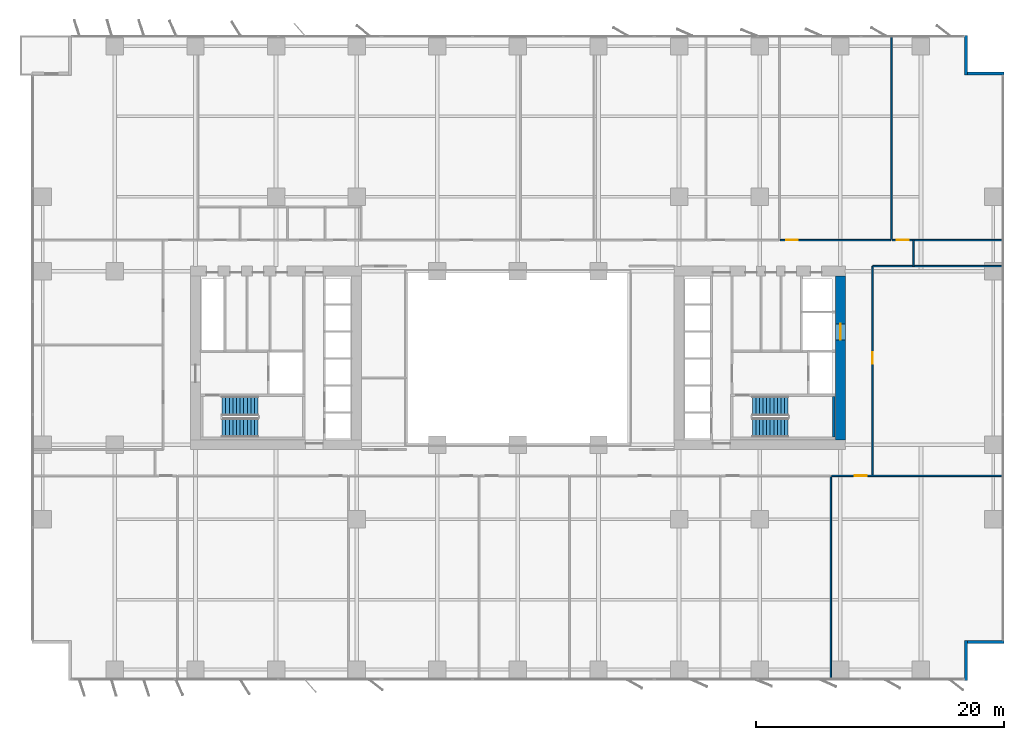
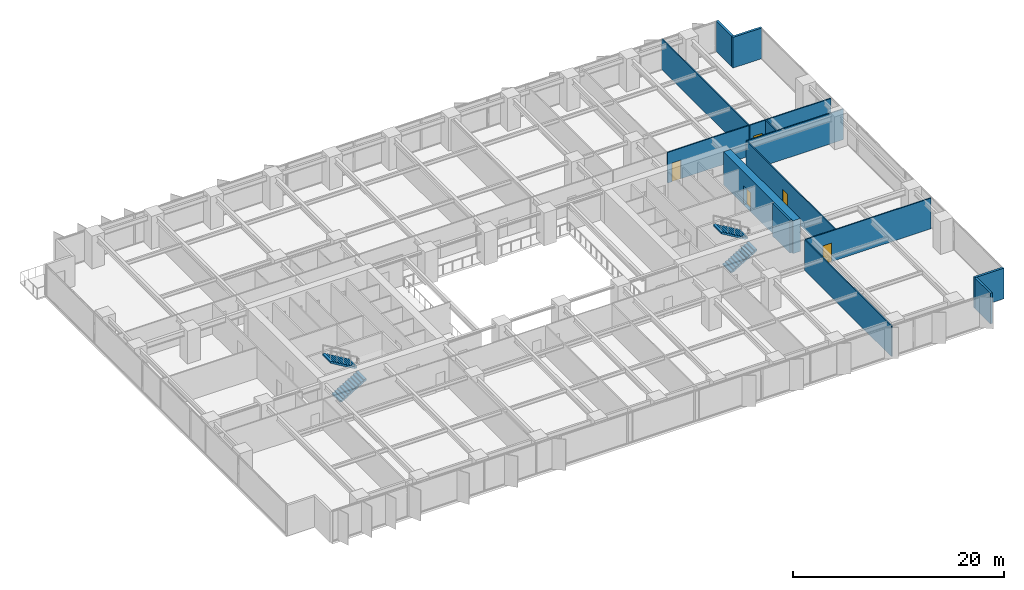
# One storey, part 16 of 20: 14 walls, 5 doors, 4 stair flights, 5 openings, 2 elements without a shape of their own.
"""IFC4 building model written with IfcOpenShell, lengths in metres."""

from ifc_helpers import new_model, si_unit, direction, frame, frame_2d, origin, place, context, subcontext, project, spatial, polyline, rectangle, outline, extrude, material, layer, layer_set, type_object, element, fill, aggregate, save


model = new_model("IFC4")

# Units and contexts
model_context = context("Model", 3, precision=1e-05, world=origin(), true_north=direction((0.0, 1.0)))
body_context = subcontext(model_context, "Body", "Model", "MODEL_VIEW")
ifc_project = project(units=[si_unit("LENGTHUNIT", "METRE"), si_unit("AREAUNIT", "SQUARE_METRE"), si_unit("VOLUMEUNIT", "CUBIC_METRE"), si_unit("PLANEANGLEUNIT", "RADIAN"), si_unit("MASSUNIT", "GRAM", prefix="KILO")], contexts=[model_context])

# Site, building, storey
site_placement = place(None, origin())
site = spatial("IfcSite", under=ifc_project, at=site_placement, CompositionType="ELEMENT")
building_placement = place(site_placement, origin())
building = spatial("IfcBuilding", under=site, at=building_placement, Name="Putna Gate Headquarters", CompositionType="ELEMENT")
storey_placement = place(building_placement, frame((0.0, 0.0, 73.39990234375)))
storey = spatial("IfcBuildingStorey", under=building, at=storey_placement, Name="L17", CompositionType="ELEMENT", Elevation=73.39990234375)

# Wall, opening, door
ifc_material_1 = material(Name="Concrete C60/75", Category="concrete")
ifc_layer_1 = layer(ifc_material_1, 0.800048828125)
ifc_layer_set_1 = layer_set([ifc_layer_1], Name="Concrete C60/75")
wall_type_1 = type_object("IfcWallType", Name="WALL-CORE-800", PredefinedType="SHEAR", material=ifc_layer_set_1)
wall_1_placement = place(storey_placement, frame((65.0, 19.39990234375, 0.0), z_axis=(0.0, 0.0, 1.0), x_axis=(0.0, 1.0, 0.0)))
wall_1 = element("IfcWall", 1, at=wall_1_placement, inside=storey, type_object=wall_type_1, Name="L17 EC Split Core Shear Wall E", PredefinedType="SHEAR", context=body_context, shape_type="SweptSolid", body=[
    extrude(rectangle(XDim=13.2001953125, YDim=0.800048828125, at=frame_2d((6.60009765625, 0.0))), origin(), (0.0, 0.0, 1.0), 3.800048828125),
])
opening_1_placement = place(wall_1_placement, frame((8.050048828125, 0.0, 0.0)))
opening_1 = element("IfcOpeningElement", 2, at=opening_1_placement, cuts=wall_1, Name="Opening LD-2", PredefinedType="OPENING", context=body_context, shape_type="SweptSolid", body=[
    extrude(rectangle(XDim=1.300048828125, YDim=2.199951171875, at=frame_2d((0.64990234375, 1.10009765625))), frame((0.0, 0.409912109375, 0.0), z_axis=(0.0, -1.0, 0.0), x_axis=(1.0, 0.0, 0.0)), (0.0, 0.0, 1.0), 0.820068359375),
])
ifc_material_2 = material(Name="Heavy-duty goods lift sliding landing door")
door_type_1 = type_object("IfcDoorType", Name="DOOR-LIFT-1300", OperationType="DOUBLE_DOOR_SLIDING", PredefinedType="DOOR", material=ifc_material_2)
door_1_placement = place(opening_1_placement, origin())
door_1 = element("IfcDoor", 3, at=door_1_placement, inside=storey, type_object=door_type_1, Name="L17 Goods Lift Landing Door LD-15", OperationType="DOUBLE_DOOR_SLIDING", OverallHeight=2.199951171875, OverallWidth=1.300048828125, PredefinedType="DOOR", context=body_context, shape_type="SweptSolid", body=[
    extrude(rectangle(XDim=1.300048828125, YDim=2.199951171875, at=frame_2d((0.64990234375, 1.10009765625))), frame((0.0, 0.02490234375, 0.0), z_axis=(0.0, -1.0, 0.0), x_axis=(1.0, 0.0, 0.0)), (0.0, 0.0, 1.0), 0.050048828125),
])
fill(opening_1, door_1)

# Walls
ifc_material_3 = material(Name="Precast concrete C40/50", Category="concrete")
ifc_layer_2 = layer(ifc_material_3, 0.239990234375)
ifc_layer_set_2 = layer_set([ifc_layer_2], Name="Precast concrete C40/50")
wall_type_2 = type_object("IfcWallType", Name="WALL-EXT-TERR-240", PredefinedType="STANDARD", material=ifc_layer_set_2)
for number, where, z_axis, x_axis, name in (
    (4, (75.1201171875, 52.0, 0.0), (0.0, 0.0, 1.0), (0.0, -1.0, 0.0), "L17 Corner Notch Return Wall NE-V"),
    (5, (75.0, 48.919921875, 0.0), (0.0, 0.0, 1.0), (1.0, 0.0, 0.0), "L17 Corner Notch Return Wall NE-H"),
    (6, (75.1201171875, 3.199951171875, 0.0), (0.0, 0.0, 1.0), (0.0, -1.0, 0.0), "L17 Corner Notch Return Wall SE-V"),
    (7, (78.199951171875, 3.080078125, 0.0), (0.0, 0.0, 1.0), (-1.0, 0.0, 0.0), "L17 Corner Notch Return Wall SE-H"),
):
    element("IfcWall", number, at=place(storey_placement, frame(where, z_axis=z_axis, x_axis=x_axis)), inside=storey, type_object=wall_type_2, Name=name, PredefinedType="STANDARD", context=body_context, shape_type="SweptSolid", body=[
        extrude(rectangle(XDim=3.199951171875, YDim=0.239990234375, at=frame_2d((1.60009765625, 0.0))), origin(), (0.0, 0.0, 1.0), 3.550048828125),
    ])
ifc_material_4 = material(Name="Acoustic gypsum board on metal stud")
ifc_layer_3 = layer(ifc_material_4, 0.1201171875)
ifc_layer_set_3 = layer_set([ifc_layer_3], Name="Acoustic gypsum board on metal stud")
wall_type_3 = type_object("IfcWallType", Name="WALL-PART-120", PredefinedType="PARTITIONING", material=ifc_layer_set_3)
for number, where, z_axis, x_axis, name in (
    (8, (69.1123046875, 35.56005859375, 0.0), (0.0, 0.0, 1.0), (0.0, 1.0, 0.0), "L17 Interior Wall PART-L17-NB-DIV-06"),
    (9, (64.230224609375, 0.02001953125, 0.0), (0.0, 0.0, 1.0), (0.0, 1.0, 0.0), "L17 Interior Wall PART-L17-SB-DIV-06"),
):
    element("IfcWall", number, at=place(storey_placement, frame(where, z_axis=z_axis, x_axis=x_axis)), inside=storey, type_object=wall_type_3, Name=name, PredefinedType="PARTITIONING", context=body_context, shape_type="SweptSolid", body=[
        extrude(rectangle(XDim=16.419921875, YDim=0.1201171875, at=frame_2d((8.2099609375, 0.0))), origin(), (0.0, 0.0, 1.0), 3.550048828125),
    ])
ifc_material_5 = material(Name="Fire-rated gypsum board on metal stud")
ifc_layer_4 = layer(ifc_material_5, 0.1201171875)
ifc_layer_set_4 = layer_set([ifc_layer_4], Name="Fire-rated gypsum board on metal stud")
wall_type_4 = type_object("IfcWallType", Name="WALL-PART-120-RATED", PredefinedType="PARTITIONING", material=ifc_layer_set_4)
wall_2_placement = place(storey_placement, frame((70.912353515625, 33.39990234375, 0.0), z_axis=(0.0, 0.0, 1.0), x_axis=(0.0, 1.0, 0.0)))
element("IfcWall", 10, at=wall_2_placement, inside=storey, type_object=wall_type_4, Name="L17 Interior Wall PART-L17-CORRN-CAPE", PredefinedType="PARTITIONING", context=body_context, shape_type="SweptSolid", body=[
    extrude(rectangle(XDim=2.10009765625, YDim=0.1201171875, at=frame_2d((1.050048828125, 0.0))), origin(), (0.0, 0.0, 1.0), 3.550048828125),
])

# Wall, opening, door
wall_3_placement = place(storey_placement, frame((60.154541015625, 35.5, 0.0), z_axis=(0.0, 0.0, 1.0), x_axis=(1.0, 0.0, 0.0)))
wall_3 = element("IfcWall", 11, at=wall_3_placement, inside=storey, type_object=wall_type_4, Name="L17 Interior Wall PART-L17-NB-CW-06", PredefinedType="PARTITIONING", context=body_context, shape_type="SweptSolid", body=[
    extrude(rectangle(XDim=8.897705078125, YDim=0.1201171875, at=frame_2d((4.44873046875, 0.0))), origin(), (0.0, 0.0, 1.0), 3.550048828125),
])
opening_2_placement = place(wall_3_placement, frame((0.47998046875, 0.0, 0.0)))
opening_2 = element("IfcOpeningElement", 12, at=opening_2_placement, cuts=wall_3, Name="Opening FD-95", PredefinedType="OPENING", context=body_context, shape_type="SweptSolid", body=[
    extrude(rectangle(XDim=0.949951171875, YDim=2.14990234375, at=frame_2d((0.47509765625, 1.074951171875))), frame((0.0, 0.070068359375, 0.0), z_axis=(0.0, -1.0, 0.0), x_axis=(1.0, 0.0, 0.0)), (0.0, 0.0, 1.0), 0.14013671875),
])
ifc_material_6 = material(Name="Acoustic timber fire door", Category="wood")
door_type_2 = type_object("IfcDoorType", Name="DOOR-FIRE-950", OperationType="NOTDEFINED", PredefinedType="DOOR", material=ifc_material_6)
door_2_placement = place(opening_2_placement, origin())
door_2 = element("IfcDoor", 13, at=door_2_placement, inside=storey, type_object=door_type_2, Name="L17 Conference Meeting Room 5 Door", OperationType="SINGLE_SWING_LEFT", OverallHeight=2.14990234375, OverallWidth=0.949951171875, PredefinedType="DOOR", context=body_context, shape_type="SweptSolid", body=[
    extrude(rectangle(XDim=0.949951171875, YDim=2.14990234375, at=frame_2d((0.47509765625, 1.074951171875))), frame((0.0, 0.02490234375, 0.0), z_axis=(0.0, -1.0, 0.0), x_axis=(1.0, 0.0, 0.0)), (0.0, 0.0, 1.0), 0.050048828125),
])
fill(opening_2, door_2)

wall_4_placement = place(storey_placement, frame((69.17236328125, 35.5, 0.0), z_axis=(0.0, 0.0, 1.0), x_axis=(1.0, 0.0, 0.0)))
wall_4 = element("IfcWall", 14, at=wall_4_placement, inside=storey, type_object=wall_type_4, Name="L17 Interior Wall PART-L17-NB-CW-07", PredefinedType="PARTITIONING", context=body_context, shape_type="SweptSolid", body=[
    extrude(rectangle(XDim=8.84765625, YDim=0.1201171875, at=frame_2d((4.423828125, 0.0))), origin(), (0.0, 0.0, 1.0), 3.550048828125),
])
opening_3_placement = place(wall_4_placement, frame((0.39501953125, 0.0, 0.0)))
opening_3 = element("IfcOpeningElement", 15, at=opening_3_placement, cuts=wall_4, Name="Opening FD-95", PredefinedType="OPENING", context=body_context, shape_type="SweptSolid", body=[
    extrude(rectangle(XDim=0.949951171875, YDim=2.14990234375, at=frame_2d((0.47509765625, 1.074951171875))), frame((0.0, 0.070068359375, 0.0), z_axis=(0.0, -1.0, 0.0), x_axis=(1.0, 0.0, 0.0)), (0.0, 0.0, 1.0), 0.14013671875),
])
door_3_placement = place(opening_3_placement, origin())
door_3 = element("IfcDoor", 16, at=door_3_placement, inside=storey, type_object=door_type_2, Name="L17 Cellular Office 1 Door", OperationType="SINGLE_SWING_RIGHT", OverallHeight=2.14990234375, OverallWidth=0.949951171875, PredefinedType="DOOR", context=body_context, shape_type="SweptSolid", body=[
    extrude(rectangle(XDim=0.949951171875, YDim=2.14990234375, at=frame_2d((0.47509765625, 1.074951171875))), frame((0.0, 0.02490234375, 0.0), z_axis=(0.0, -1.0, 0.0), x_axis=(1.0, 0.0, 0.0)), (0.0, 0.0, 1.0), 0.050048828125),
])
fill(opening_3, door_3)

wall_5_placement = place(storey_placement, frame((64.290283203125, 16.5, 0.0), z_axis=(0.0, 0.0, 1.0), x_axis=(1.0, 0.0, 0.0)))
wall_5 = element("IfcWall", 17, at=wall_5_placement, inside=storey, type_object=wall_type_4, Name="L17 Interior Wall PART-L17-SB-CW-07", PredefinedType="PARTITIONING", context=body_context, shape_type="SweptSolid", body=[
    extrude(rectangle(XDim=13.729736328125, YDim=0.1201171875, at=frame_2d((6.86474609375, 0.0))), origin(), (0.0, 0.0, 1.0), 3.550048828125),
])
opening_4_placement = place(wall_5_placement, frame((1.879638671875, 0.0, 0.0)))
opening_4 = element("IfcOpeningElement", 18, at=opening_4_placement, cuts=wall_5, Name="Opening FD-95", PredefinedType="OPENING", context=body_context, shape_type="SweptSolid", body=[
    extrude(rectangle(XDim=0.949951171875, YDim=2.14990234375, at=frame_2d((0.47509765625, 1.074951171875))), frame((0.0, 0.070068359375, 0.0), z_axis=(0.0, -1.0, 0.0), x_axis=(1.0, 0.0, 0.0)), (0.0, 0.0, 1.0), 0.14013671875),
])
door_4_placement = place(opening_4_placement, origin())
door_4 = element("IfcDoor", 19, at=door_4_placement, inside=storey, type_object=door_type_2, Name="L17 Conference Meeting Room 1 Door", OperationType="SINGLE_SWING_LEFT", OverallHeight=2.14990234375, OverallWidth=0.949951171875, PredefinedType="DOOR", context=body_context, shape_type="SweptSolid", body=[
    extrude(rectangle(XDim=0.949951171875, YDim=2.14990234375, at=frame_2d((0.47509765625, 1.074951171875))), frame((0.0, 0.02490234375, 0.0), z_axis=(0.0, -1.0, 0.0), x_axis=(1.0, 0.0, 0.0)), (0.0, 0.0, 1.0), 0.050048828125),
])
fill(opening_4, door_4)

# Wall
wall_6_placement = place(storey_placement, frame((67.60009765625, 33.39990234375, 0.0), z_axis=(0.0, 0.0, 1.0), x_axis=(1.0, 0.0, 0.0)))
element("IfcWall", 20, at=wall_6_placement, inside=storey, type_object=wall_type_4, Name="L17 Interior Wall PART-L17-EW-N-BOUND", PredefinedType="PARTITIONING", context=body_context, shape_type="SweptSolid", body=[
    extrude(rectangle(XDim=10.579833984375, YDim=0.1201171875, at=frame_2d((5.2900390625, 0.0))), origin(), (0.0, 0.0, 1.0), 3.550048828125),
])

# Wall, opening, door
wall_7_placement = place(storey_placement, frame((67.60009765625, 16.5, 0.0), z_axis=(0.0, 0.0, 1.0), x_axis=(0.0, 1.0, 0.0)))
wall_7 = element("IfcWall", 21, at=wall_7_placement, inside=storey, type_object=wall_type_4, Name="L17 Interior Wall PART-L17-EW-CW-1", PredefinedType="PARTITIONING", context=body_context, shape_type="SweptSolid", body=[
    extrude(rectangle(XDim=16.89990234375, YDim=0.1201171875, at=frame_2d((8.449951171875, 0.0))), origin(), (0.0, 0.0, 1.0), 3.550048828125),
])
opening_5_placement = place(wall_7_placement, frame((9.02490234375, 0.0, 0.0)))
opening_5 = element("IfcOpeningElement", 22, at=opening_5_placement, cuts=wall_7, Name="Opening FD-95", PredefinedType="OPENING", context=body_context, shape_type="SweptSolid", body=[
    extrude(rectangle(XDim=0.949951171875, YDim=2.14990234375, at=frame_2d((0.47509765625, 1.074951171875))), frame((0.0, 0.070068359375, 0.0), z_axis=(0.0, -1.0, 0.0), x_axis=(1.0, 0.0, 0.0)), (0.0, 0.0, 1.0), 0.14013671875),
])
door_5_placement = place(opening_5_placement, origin())
door_5 = element("IfcDoor", 23, at=door_5_placement, inside=storey, type_object=door_type_2, Name="L17 East Horizon Conference Room 1 Door", OperationType="SINGLE_SWING_RIGHT", OverallHeight=2.14990234375, OverallWidth=0.949951171875, PredefinedType="DOOR", context=body_context, shape_type="SweptSolid", body=[
    extrude(rectangle(XDim=0.949951171875, YDim=2.14990234375, at=frame_2d((0.47509765625, 1.074951171875))), frame((0.0, 0.02490234375, 0.0), z_axis=(0.0, -1.0, 0.0), x_axis=(1.0, 0.0, 0.0)), (0.0, 0.0, 1.0), 0.050048828125),
])
fill(opening_5, door_5)

# Wall
ifc_material_7 = material(Name="Concrete C40/50", Category="concrete")
ifc_layer_5 = layer(ifc_material_7, 0.199951171875)
ifc_layer_set_5 = layer_set([ifc_layer_5], Name="Concrete C40/50")
wall_type_5 = type_object("IfcWallType", Name="WALL-SHAFT-RC200", PredefinedType="SHEAR", material=ifc_layer_set_5)
wall_8_placement = place(storey_placement, frame((64.489990234375, 19.610107421875, 0.0), z_axis=(0.0, 0.0, 1.0), x_axis=(0.0, 1.0, 0.0)))
element("IfcWall", 24, at=wall_8_placement, inside=storey, type_object=wall_type_5, Name="L17 Stair ST2 Structural Shaft Wall E", PredefinedType="SHEAR", context=body_context, shape_type="SweptSolid", body=[
    extrude(rectangle(XDim=3.27978515625, YDim=0.199951171875, at=frame_2d((1.639892578125, 0.0))), origin(), (0.0, 0.0, 1.0), 3.800048828125),
])

# Stair, stair flights
stair_type_1 = type_object("IfcStairType", Name="STAIR-ST1", PredefinedType="HALF_TURN_STAIR", material=ifc_material_7)
stair_1_placement = place(storey_placement, origin())
stair_1 = element("IfcStair", 25, at=stair_1_placement, inside=storey, type_object=stair_type_1, Name="L17 West Core Exit Stair ST1", PredefinedType="HALF_TURN_STAIR")
stair_flight_type_1 = type_object("IfcStairFlightType", Name="FLIGHT-ST1", PredefinedType="STRAIGHT", material=ifc_material_7)
stair_flight_1_placement = place(storey_placement, frame((15.14990234375, 20.375, 0.0), z_axis=(0.0, 0.0, 1.0), x_axis=(1.0, 0.0, 0.0)))
stair_flight_1 = element("IfcStairFlight", 26, at=stair_flight_1_placement, type_object=stair_flight_type_1, Name="ST1 flight 1", NumberOfRisers=11, NumberOfTreads=10, PredefinedType="STRAIGHT", RiserHeight=0.172727273, TreadLength=0.29, context=body_context, shape_type="SweptSolid", body=[
    extrude(outline(polyline([(0.0, 0.0), (0.0, 0.172607421875), (0.2900390625, 0.172607421875), (0.2900390625, 0.345458984375), (0.580078125, 0.345458984375), (0.580078125, 0.51806640625), (0.8701171875, 0.51806640625), (0.8701171875, 0.69091796875), (1.159912109375, 0.69091796875), (1.159912109375, 0.863525390625), (1.449951171875, 0.863525390625), (1.449951171875, 1.036376953125), (1.739990234375, 1.036376953125), (1.739990234375, 1.208984375), (2.030029296875, 1.208984375), (2.030029296875, 1.3818359375), (2.320068359375, 1.3818359375), (2.320068359375, 1.554443359375), (2.610107421875, 1.554443359375), (2.610107421875, 1.727294921875), (2.89990234375, 1.727294921875), (2.89990234375, 1.89990234375), (2.89990234375, 1.552734375), (0.29296875, 0.0), (0.0, 0.0)])), frame((0.0, 0.77490234375, 0.0), z_axis=(0.0, -1.0, 0.0), x_axis=(1.0, 0.0, 0.0)), (0.0, 0.0, 1.0), 1.550048828125),
])
stair_flight_2_placement = place(storey_placement, frame((18.050048828125, 22.125, 1.900146484375), z_axis=(0.0, 0.0, 1.0), x_axis=(-1.0, 0.0, 0.0)))
stair_flight_2 = element("IfcStairFlight", 27, at=stair_flight_2_placement, type_object=stair_flight_type_1, Name="ST1 flight 2", NumberOfRisers=11, NumberOfTreads=10, PredefinedType="STRAIGHT", RiserHeight=0.172727273, TreadLength=0.29, context=body_context, shape_type="SweptSolid", body=[
    extrude(outline(polyline([(0.0, 0.0), (0.0, 0.172607421875), (0.2900390625, 0.172607421875), (0.2900390625, 0.345458984375), (0.580078125, 0.345458984375), (0.580078125, 0.51806640625), (0.8701171875, 0.51806640625), (0.8701171875, 0.69091796875), (1.159912109375, 0.69091796875), (1.159912109375, 0.863525390625), (1.449951171875, 0.863525390625), (1.449951171875, 1.036376953125), (1.739990234375, 1.036376953125), (1.739990234375, 1.208984375), (2.030029296875, 1.208984375), (2.030029296875, 1.3818359375), (2.320068359375, 1.3818359375), (2.320068359375, 1.554443359375), (2.610107421875, 1.554443359375), (2.610107421875, 1.727294921875), (2.89990234375, 1.727294921875), (2.89990234375, 1.89990234375), (2.89990234375, 1.552734375), (0.29296875, 0.0), (0.0, 0.0)])), frame((0.0, 0.77490234375, 0.0), z_axis=(0.0, -1.0, 0.0), x_axis=(1.0, 0.0, 0.0)), (0.0, 0.0, 1.0), 1.550048828125),
])
aggregate(stair_1, [stair_flight_1, stair_flight_2])

stair_type_2 = type_object("IfcStairType", Name="STAIR-ST2", PredefinedType="HALF_TURN_STAIR", material=ifc_material_7)
stair_2_placement = place(storey_placement, origin())
stair_2 = element("IfcStair", 28, at=stair_2_placement, inside=storey, type_object=stair_type_2, Name="L17 East Core Exit Stair ST2", PredefinedType="HALF_TURN_STAIR")
stair_flight_type_2 = type_object("IfcStairFlightType", Name="FLIGHT-ST2", PredefinedType="STRAIGHT", material=ifc_material_7)
stair_flight_3_placement = place(storey_placement, frame((57.89990234375, 20.375, 0.0), z_axis=(0.0, 0.0, 1.0), x_axis=(1.0, 0.0, 0.0)))
stair_flight_3 = element("IfcStairFlight", 29, at=stair_flight_3_placement, type_object=stair_flight_type_2, Name="ST2 flight 1", NumberOfRisers=11, NumberOfTreads=10, PredefinedType="STRAIGHT", RiserHeight=0.172727273, TreadLength=0.29, context=body_context, shape_type="SweptSolid", body=[
    extrude(outline(polyline([(0.0, 0.0), (0.0, 0.172607421875), (0.2900390625, 0.172607421875), (0.2900390625, 0.345458984375), (0.580078125, 0.345458984375), (0.580078125, 0.51806640625), (0.8701171875, 0.51806640625), (0.8701171875, 0.69091796875), (1.159912109375, 0.69091796875), (1.159912109375, 0.863525390625), (1.449951171875, 0.863525390625), (1.449951171875, 1.036376953125), (1.739990234375, 1.036376953125), (1.739990234375, 1.208984375), (2.030029296875, 1.208984375), (2.030029296875, 1.3818359375), (2.320068359375, 1.3818359375), (2.320068359375, 1.554443359375), (2.610107421875, 1.554443359375), (2.610107421875, 1.727294921875), (2.89990234375, 1.727294921875), (2.89990234375, 1.89990234375), (2.89990234375, 1.552734375), (0.29296875, 0.0), (0.0, 0.0)])), frame((0.0, 0.77490234375, 0.0), z_axis=(0.0, -1.0, 0.0), x_axis=(1.0, 0.0, 0.0)), (0.0, 0.0, 1.0), 1.550048828125),
])
stair_flight_4_placement = place(storey_placement, frame((60.800048828125, 22.125, 1.900146484375), z_axis=(0.0, 0.0, 1.0), x_axis=(-1.0, 0.0, 0.0)))
stair_flight_4 = element("IfcStairFlight", 30, at=stair_flight_4_placement, type_object=stair_flight_type_2, Name="ST2 flight 2", NumberOfRisers=11, NumberOfTreads=10, PredefinedType="STRAIGHT", RiserHeight=0.172727273, TreadLength=0.29, context=body_context, shape_type="SweptSolid", body=[
    extrude(outline(polyline([(0.0, 0.0), (0.0, 0.172607421875), (0.2900390625, 0.172607421875), (0.2900390625, 0.345458984375), (0.580078125, 0.345458984375), (0.580078125, 0.51806640625), (0.8701171875, 0.51806640625), (0.8701171875, 0.69091796875), (1.159912109375, 0.69091796875), (1.159912109375, 0.863525390625), (1.449951171875, 0.863525390625), (1.449951171875, 1.036376953125), (1.739990234375, 1.036376953125), (1.739990234375, 1.208984375), (2.030029296875, 1.208984375), (2.030029296875, 1.3818359375), (2.320068359375, 1.3818359375), (2.320068359375, 1.554443359375), (2.610107421875, 1.554443359375), (2.610107421875, 1.727294921875), (2.89990234375, 1.727294921875), (2.89990234375, 1.89990234375), (2.89990234375, 1.552734375), (0.29296875, 0.0), (0.0, 0.0)])), frame((0.0, 0.77490234375, 0.0), z_axis=(0.0, -1.0, 0.0), x_axis=(1.0, 0.0, 0.0)), (0.0, 0.0, 1.0), 1.550048828125),
])
aggregate(stair_2, [stair_flight_3, stair_flight_4])

save(model, "model.ifc")
